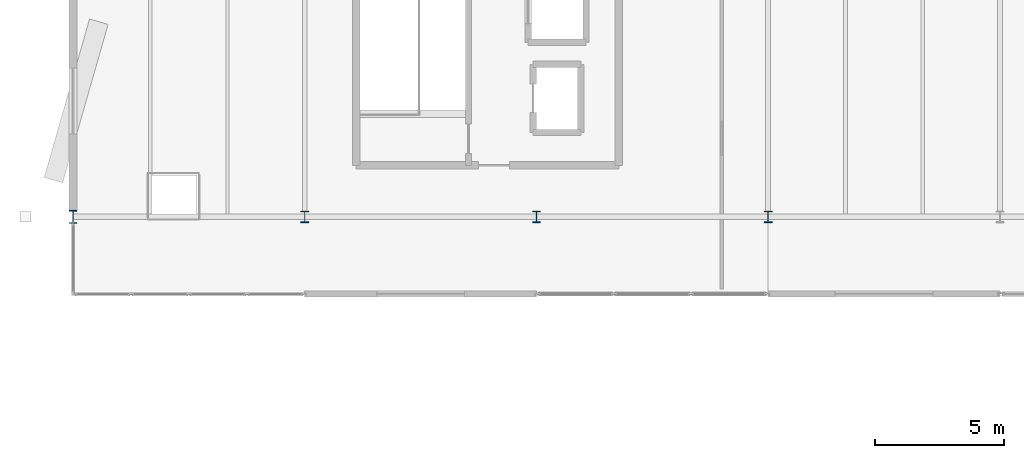
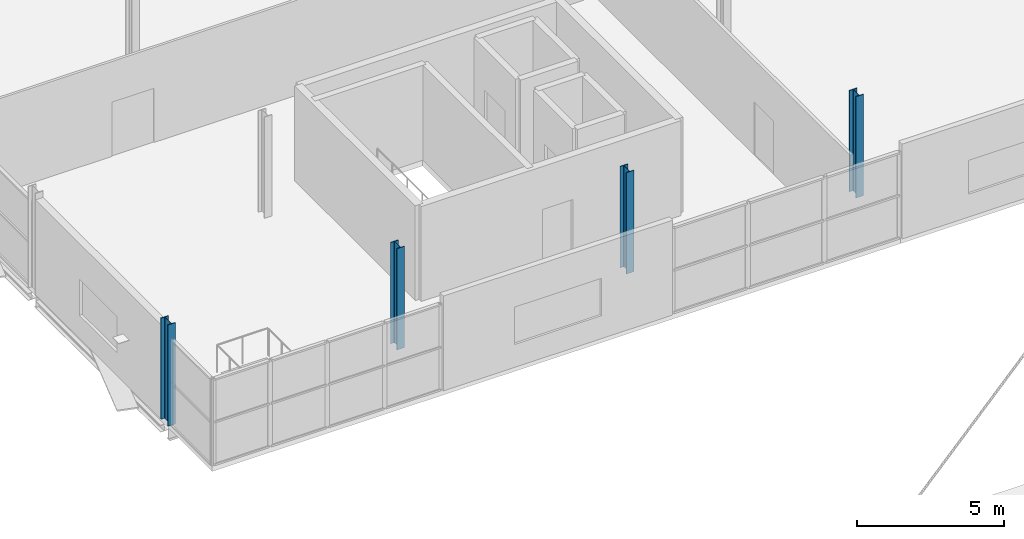
# One storey, part 2 of 132: 4 columns.
"""IFC4 building model written with IfcOpenShell, lengths in metres."""

from ifc_helpers import new_model, si_unit, direction, frame, origin, origin_2d, place, context, subcontext, project, spatial, i_section, extrude, material, material_profile, profile_set, type_object, element, save


model = new_model("IFC4")

# Units and contexts
model_context = context("Model", 3, precision=1e-05, world=origin(), true_north=direction((0.0, 1.0)))
body_context = subcontext(model_context, "Body", "Model", "MODEL_VIEW")
ifc_project = project(units=[si_unit("LENGTHUNIT", "METRE"), si_unit("AREAUNIT", "SQUARE_METRE"), si_unit("VOLUMEUNIT", "CUBIC_METRE"), si_unit("PLANEANGLEUNIT", "RADIAN"), si_unit("MASSUNIT", "GRAM", prefix="KILO")], contexts=[model_context])

# Site, building, storey
site_placement = place(None, origin())
site = spatial("IfcSite", under=ifc_project, at=site_placement, CompositionType="ELEMENT")
building_placement = place(site_placement, origin())
building = spatial("IfcBuilding", under=site, at=building_placement, Name="Deido Ridge Mobility Hub", CompositionType="ELEMENT")
storey_placement = place(building_placement, frame((0.0, 0.0, 8.39990234375)))
storey = spatial("IfcBuildingStorey", under=building, at=storey_placement, Name="L02", CompositionType="ELEMENT", Elevation=8.39990234375)

# Columns
ifc_material = material(Name="Steel S355J2 EN 10025-2", Category="steel")
ifc_material_profile_1 = material_profile(ifc_material, i_section(OverallWidth=0.300048828125, OverallDepth=0.449951171875, WebThickness=0.013916015625, FlangeThickness=0.02587890625, FilletRadius=0.027099609375, at=origin_2d()), Name="HEB 450")
ifc_profile_set_1 = profile_set([ifc_material_profile_1], Name="Steel S355J2 EN 10025-2")
column_type_1 = type_object("IfcColumnType", Name="COL-HEB450", PredefinedType="COLUMN", material=ifc_profile_set_1)
for number, where, z_axis, x_axis, name in (
    (1, (9.0, 54.0, 0.0), (0.0, 0.0, 1.0), (1.0, 0.0, 0.0), "Structural column C6"),
    (2, (18.0, 54.0, 0.0), (0.0, 0.0, 1.0), (1.0, 0.0, 0.0), "Structural column C6"),
    (3, (27.0, 54.0, 0.0), (0.0, 0.0, 1.0), (1.0, 0.0, 0.0), "Structural column C6"),
):
    element("IfcColumn", number, at=place(storey_placement, frame(where, z_axis=z_axis, x_axis=x_axis)), inside=storey, type_object=column_type_1, Name=name, PredefinedType="COLUMN", context=body_context, shape_type="SweptSolid", body=[
        extrude(i_section(OverallWidth=0.300048828125, OverallDepth=0.449951171875, WebThickness=0.013916015625, FlangeThickness=0.02587890625, FilletRadius=0.027099609375, at=origin_2d()), origin(), (0.0, 0.0, 1.0), 4.2001953125),
    ])
ifc_material_profile_2 = material_profile(ifc_material, i_section(OverallWidth=0.300048828125, OverallDepth=0.5, WebThickness=0.014404296875, FlangeThickness=0.028076171875, FilletRadius=0.027099609375, at=origin_2d()), Name="HEB 500")
ifc_profile_set_2 = profile_set([ifc_material_profile_2], Name="Steel S355J2 EN 10025-2")
column_type_2 = type_object("IfcColumnType", Name="COL-HEB500", PredefinedType="COLUMN", material=ifc_profile_set_2)
column_placement = place(storey_placement, frame((0.0, 54.0, 0.0), z_axis=(0.0, 0.0, 1.0), x_axis=(1.0, 0.0, 0.0)))
element("IfcColumn", 4, at=column_placement, inside=storey, type_object=column_type_2, Name="Structural column C5", PredefinedType="COLUMN", context=body_context, shape_type="SweptSolid", body=[
    extrude(i_section(OverallWidth=0.300048828125, OverallDepth=0.5, WebThickness=0.014404296875, FlangeThickness=0.028076171875, FilletRadius=0.027099609375, at=origin_2d()), origin(), (0.0, 0.0, 1.0), 4.2001953125),
])

save(model, "model.ifc")
